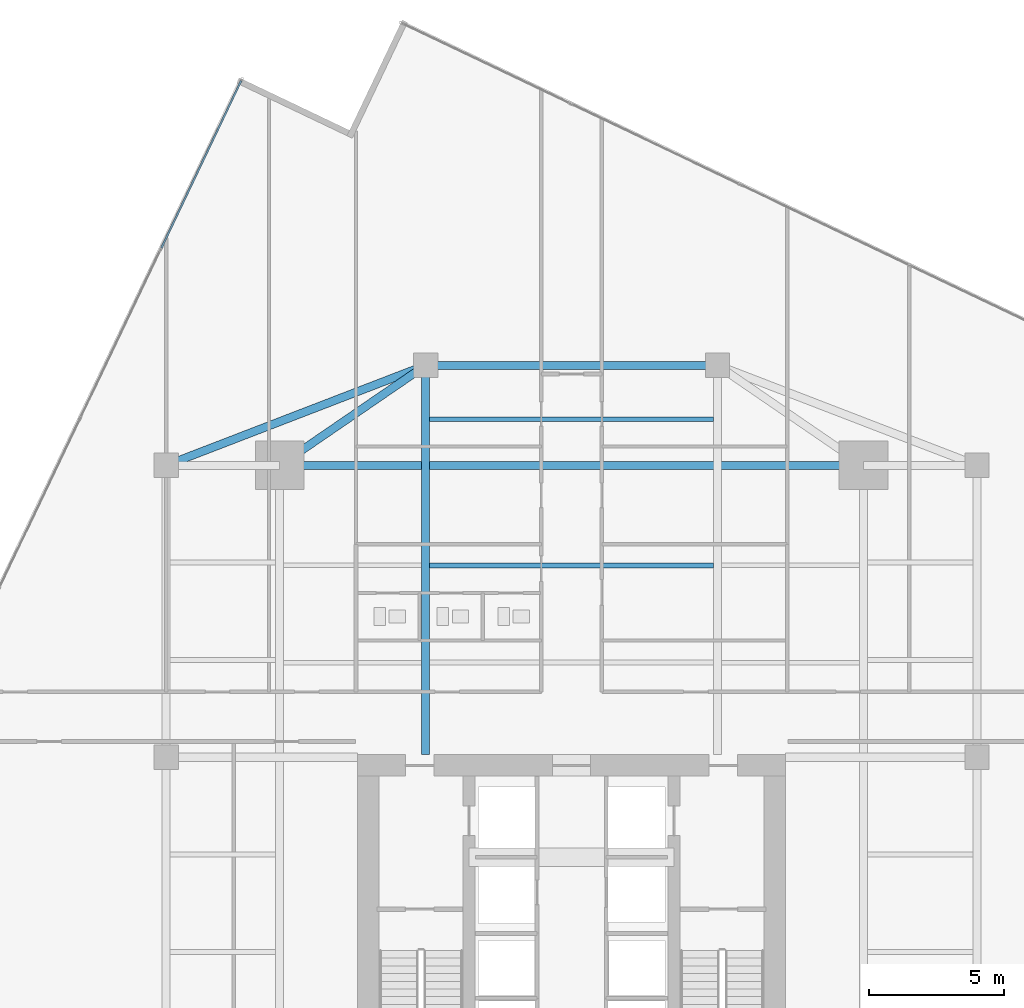
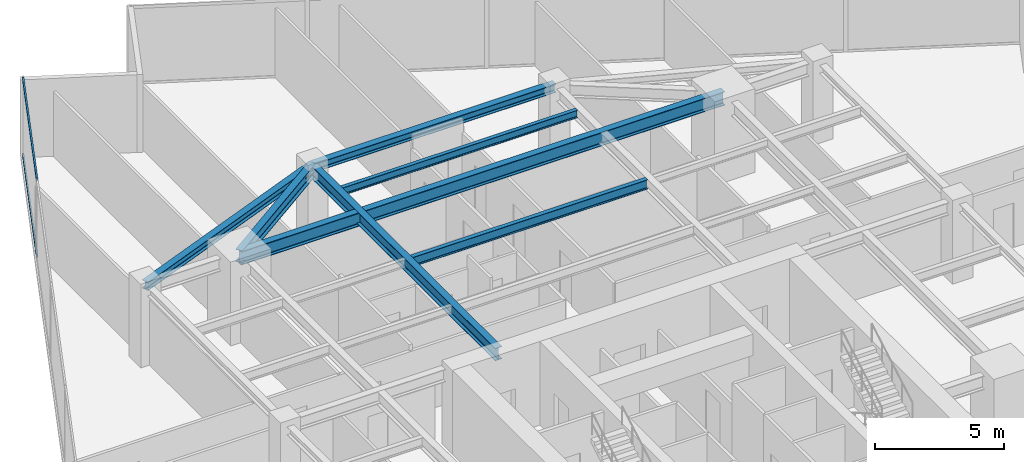
# One storey, part 15 of 25: 7 beams, 2 members, 1 element without a shape of its own.
"""IFC4 building model written with IfcOpenShell, lengths in metres."""

from ifc_helpers import new_model, si_unit, direction, frame, origin, origin_2d, place, context, subcontext, project, spatial, hollow_rectangle, i_section, extrude, source, transform, mapped, material, material_profile, profile_set, type_object, type_shapes, element, aggregate, save


model = new_model("IFC4")

# Units and contexts
model_context = context("Model", 3, precision=1e-05, world=origin(), true_north=direction((0.0, 1.0)))
body_context = subcontext(model_context, "Body", "Model", "MODEL_VIEW")
ifc_project = project(units=[si_unit("LENGTHUNIT", "METRE"), si_unit("AREAUNIT", "SQUARE_METRE"), si_unit("VOLUMEUNIT", "CUBIC_METRE"), si_unit("PLANEANGLEUNIT", "RADIAN"), si_unit("MASSUNIT", "GRAM", prefix="KILO")], contexts=[model_context])

# Site, building, storey
site_placement = place(None, origin())
site = spatial("IfcSite", under=ifc_project, at=site_placement, CompositionType="ELEMENT")
building_placement = place(site_placement, origin())
building = spatial("IfcBuilding", under=site, at=building_placement, Name="Krantzveldt Concourse Tower", CompositionType="ELEMENT")
storey_placement = place(building_placement, frame((0.0, 0.0, 146.199951171875)))
storey = spatial("IfcBuildingStorey", under=building, at=storey_placement, Name="L35", CompositionType="ELEMENT", Elevation=146.199951171875)

# Beams
ifc_material_1 = material(Name="Steel S355JR", Category="steel")
ifc_material_profile_1 = material_profile(ifc_material_1, i_section(OverallWidth=0.300048828125, OverallDepth=0.639892578125, WebThickness=0.013427734375, FlangeThickness=0.02587890625, FilletRadius=0.027099609375, at=origin_2d()), Name="Steel S355JR", Category="steel")
ifc_profile_set_1 = profile_set([ifc_material_profile_1], Name="Steel S355JR - HEA 650")
beam_type_1 = type_object("IfcBeamType", Name="BM-B-HEA650", PredefinedType="BEAM", material=ifc_profile_set_1)
shared_shape_1 = source(origin(), body_context, "Body", "SweptSolid", [
    extrude(i_section(OverallWidth=0.300048828125, OverallDepth=0.639892578125, WebThickness=0.013427734375, FlangeThickness=0.02587890625, FilletRadius=0.027099609375, at=origin_2d()), origin(), (0.0, 0.0, 1.0), 21.60009765625),
])
type_shapes(beam_type_1, [shared_shape_1])
beam_1_placement = place(storey_placement, frame((25.199951171875, 37.5, 3.35009765625), z_axis=(1.0, 0.0, 0.0), x_axis=(0.0, 1.0, 0.0)))
element("IfcBeam", 1, at=beam_1_placement, inside=storey, type_object=beam_type_1, Name="L35 Tower Girder BG-MN", PredefinedType="BEAM", context=body_context, shape_type="MappedRepresentation", body=[
    mapped(shared_shape_1, transform((0.0, 0.0, 0.0), x_axis=(1.0, 0.0, 0.0), y_axis=(0.0, 1.0, 0.0), z_axis=(0.0, 0.0, 1.0), scale=1.0)),
])
ifc_material_profile_2 = material_profile(ifc_material_1, i_section(OverallWidth=0.300048828125, OverallDepth=0.590087890625, WebThickness=0.012939453125, FlangeThickness=0.02490234375, FilletRadius=0.027099609375, at=origin_2d()), Name="Steel S355JR", Category="steel")
ifc_profile_set_2 = profile_set([ifc_material_profile_2], Name="Steel S355JR - HEA 600")
beam_type_2 = type_object("IfcBeamType", Name="BM-B-HEA600", PredefinedType="BEAM", material=ifc_profile_set_2)
shared_shape_2 = source(origin(), body_context, "Body", "SweptSolid", [
    extrude(i_section(OverallWidth=0.300048828125, OverallDepth=0.590087890625, WebThickness=0.012939453125, FlangeThickness=0.02490234375, FilletRadius=0.027099609375, at=origin_2d()), origin(), (0.0, 0.0, 1.0), 14.39990234375),
])
beam_2_placement = place(storey_placement, frame((30.60009765625, 26.800048828125, 3.375), z_axis=(0.0, 1.0, 0.0), x_axis=(-1.0, 0.0, 0.0)))
element("IfcBeam", 2, at=beam_2_placement, inside=storey, type_object=beam_type_2, Name="L35 Tower Girder BG-CNW", PredefinedType="BEAM", context=body_context, shape_type="MappedRepresentation", body=[
    mapped(shared_shape_2, transform((0.0, 0.0, 0.0), x_axis=(1.0, 0.0, 0.0), y_axis=(0.0, 1.0, 0.0), z_axis=(0.0, 0.0, 1.0), scale=1.0)),
])
shared_shape_3 = source(origin(), body_context, "Body", "SweptSolid", [
    extrude(i_section(OverallWidth=0.300048828125, OverallDepth=0.590087890625, WebThickness=0.012939453125, FlangeThickness=0.02490234375, FilletRadius=0.027099609375, at=origin_2d()), origin(), (0.0, 0.0, 1.0), 6.546142578125),
])
type_shapes(beam_type_2, [shared_shape_2, shared_shape_3])
beam_3_placement = place(storey_placement, frame((25.199951171875, 37.5, 3.375), z_axis=(0.824942999484, 0.565215930068, 0.0), x_axis=(-0.565215930068, 0.824942999484, 0.0)))
element("IfcBeam", 3, at=beam_3_placement, inside=storey, type_object=beam_type_2, Name="L35 Tower Girder BR-RL4", PredefinedType="BEAM", context=body_context, shape_type="MappedRepresentation", body=[
    mapped(shared_shape_3, transform((0.0, 0.0, 0.0), x_axis=(1.0, 0.0, 0.0), y_axis=(0.0, 1.0, 0.0), z_axis=(0.0, 0.0, 1.0), scale=1.0)),
])
ifc_material_profile_3 = material_profile(ifc_material_1, i_section(OverallWidth=0.18994140625, OverallDepth=0.449951171875, WebThickness=0.009521484375, FlangeThickness=0.0146484375, FilletRadius=0.02099609375, at=origin_2d()), Name="Steel S355JR", Category="steel")
ifc_profile_set_3 = profile_set([ifc_material_profile_3], Name="Steel S355JR - IPE 450")
beam_type_3 = type_object("IfcBeamType", Name="BM-J-IPE450", PredefinedType="JOIST", material=ifc_profile_set_3)
shared_shape_4 = source(origin(), body_context, "Body", "SweptSolid", [
    extrude(i_section(OverallWidth=0.18994140625, OverallDepth=0.449951171875, WebThickness=0.009521484375, FlangeThickness=0.0146484375, FilletRadius=0.02099609375, at=origin_2d()), origin(), (0.0, 0.0, 1.0), 10.5),
])
type_shapes(beam_type_3, [shared_shape_4])
beam_4_placement = place(storey_placement, frame((30.75, 33.800048828125, 3.445068359375), z_axis=(1.0, 0.0, 0.0), x_axis=(0.0, 1.0, 0.0)))
element("IfcBeam", 4, at=beam_4_placement, inside=storey, type_object=beam_type_3, Name="L35 Secondary Floor Joist JN-C2", PredefinedType="JOIST", context=body_context, shape_type="MappedRepresentation", body=[
    mapped(shared_shape_4, transform((0.0, 0.0, 0.0), x_axis=(1.0, 0.0, 0.0), y_axis=(0.0, 1.0, 0.0), z_axis=(0.0, 0.0, 1.0), scale=1.0)),
])
ifc_material_profile_4 = material_profile(ifc_material_1, i_section(OverallWidth=0.300048828125, OverallDepth=0.389892578125, WebThickness=0.010986328125, FlangeThickness=0.01904296875, FilletRadius=0.027099609375, at=origin_2d()), Name="Steel S355JR", Category="steel")
ifc_profile_set_4 = profile_set([ifc_material_profile_4], Name="Steel S355JR - HEA 400")
beam_type_4 = type_object("IfcBeamType", Name="BM-SP-HEA400", PredefinedType="SPANDREL", material=ifc_profile_set_4)
shared_shape_5 = source(origin(), body_context, "Body", "SweptSolid", [
    extrude(i_section(OverallWidth=0.300048828125, OverallDepth=0.389892578125, WebThickness=0.010986328125, FlangeThickness=0.01904296875, FilletRadius=0.027099609375, at=origin_2d()), origin(), (0.0, 0.0, 1.0), 10.288330078125),
])
beam_5_placement = place(storey_placement, frame((21.0, 37.5, 3.47509765625), z_axis=(0.933097690408, 0.359622997257, 0.0), x_axis=(-0.359622997257, 0.933097690408, 0.0)))
element("IfcBeam", 5, at=beam_5_placement, inside=storey, type_object=beam_type_4, Name="L35 Tower Girder SP-R03", PredefinedType="SPANDREL", context=body_context, shape_type="MappedRepresentation", body=[
    mapped(shared_shape_5, transform((0.0, 0.0, 0.0), x_axis=(1.0, 0.0, 0.0), y_axis=(0.0, 1.0, 0.0), z_axis=(0.0, 0.0, 1.0), scale=1.0)),
])
shared_shape_6 = source(origin(), body_context, "Body", "SweptSolid", [
    extrude(i_section(OverallWidth=0.300048828125, OverallDepth=0.389892578125, WebThickness=0.010986328125, FlangeThickness=0.01904296875, FilletRadius=0.027099609375, at=origin_2d()), origin(), (0.0, 0.0, 1.0), 10.7998046875),
])
type_shapes(beam_type_4, [shared_shape_5, shared_shape_6])
beam_6_placement = place(storey_placement, frame((30.60009765625, 41.199951171875, 3.47509765625), z_axis=(1.0, 0.0, 0.0), x_axis=(0.0, 1.0, 0.0)))
element("IfcBeam", 6, at=beam_6_placement, inside=storey, type_object=beam_type_4, Name="L35 Tower Girder SP-R04", PredefinedType="SPANDREL", context=body_context, shape_type="MappedRepresentation", body=[
    mapped(shared_shape_6, transform((0.0, 0.0, 0.0), x_axis=(1.0, 0.0, 0.0), y_axis=(0.0, 1.0, 0.0), z_axis=(0.0, 0.0, 1.0), scale=1.0)),
])
ifc_material_profile_5 = material_profile(ifc_material_1, i_section(OverallWidth=0.169921875, OverallDepth=0.360107421875, WebThickness=0.008056640625, FlangeThickness=0.0126953125, FilletRadius=0.01806640625, at=origin_2d()), Name="Steel S355JR", Category="steel")
ifc_profile_set_5 = profile_set([ifc_material_profile_5], Name="Steel S355JR - IPE 360")
beam_type_5 = type_object("IfcBeamType", Name="BM-J-IPE360", PredefinedType="JOIST", material=ifc_profile_set_5)
shared_shape_7 = source(origin(), body_context, "Body", "SweptSolid", [
    extrude(i_section(OverallWidth=0.169921875, OverallDepth=0.360107421875, WebThickness=0.008056640625, FlangeThickness=0.0126953125, FilletRadius=0.01806640625, at=origin_2d()), origin(), (0.0, 0.0, 1.0), 10.5),
])
type_shapes(beam_type_5, [shared_shape_7])
beam_7_placement = place(storey_placement, frame((30.75, 39.199951171875, 3.489990234375), z_axis=(1.0, 0.0, 0.0), x_axis=(0.0, 1.0, 0.0)))
element("IfcBeam", 7, at=beam_7_placement, inside=storey, type_object=beam_type_5, Name="L35 Secondary Floor Joist JN-C3", PredefinedType="JOIST", context=body_context, shape_type="MappedRepresentation", body=[
    mapped(shared_shape_7, transform((0.0, 0.0, 0.0), x_axis=(1.0, 0.0, 0.0), y_axis=(0.0, 1.0, 0.0), z_axis=(0.0, 0.0, 1.0), scale=1.0)),
])

# Curtain wall, members
ifc_material_2 = material(Name="Anodised aluminium 6063-T6", Category="aluminium")
curtain_wall_type = type_object("IfcCurtainWallType", Name="CW3", PredefinedType="USERDEFINED", material=ifc_material_2)
curtain_wall_placement = place(storey_placement, origin())
curtain_wall = element("IfcCurtainWall", 8, at=curtain_wall_placement, inside=storey, type_object=curtain_wall_type, Name="CW-L35-F01", ObjectType="UNITISED CURTAIN WALL", PredefinedType="USERDEFINED")
ifc_material_profile_6 = material_profile(ifc_material_2, hollow_rectangle(XDim=0.070068359375, YDim=0.139892578125, WallThickness=0.0048828125, at=origin_2d()), Name="Anodised aluminium 6063-T6", Category="aluminium")
ifc_profile_set_6 = profile_set([ifc_material_profile_6], Name="Anodised aluminium 6063-T6 - ALU-TRAN 140x70x5")
member_type = type_object("IfcMemberType", Name="CW-TRN-150", PredefinedType="USERDEFINED", material=ifc_profile_set_6)
shared_shape_8 = source(origin(), body_context, "Body", "SweptSolid", [
    extrude(hollow_rectangle(XDim=0.070068359375, YDim=0.139892578125, WallThickness=0.0048828125, at=origin_2d()), origin(), (0.0, 0.0, 1.0), 6.85498046875),
])
type_shapes(member_type, [shared_shape_8])
member_1_placement = place(storey_placement, frame((23.775390625, 51.731201171875, 0.03515625), z_axis=(-0.430511360105, -0.902585158764, 0.0), x_axis=(0.902585158764, -0.430511360105, 0.0)))
member_1 = element("IfcMember", 9, at=member_1_placement, type_object=member_type, Name="CW-Z34 transom 1.1", ObjectType="TRANSOM", PredefinedType="USERDEFINED", context=body_context, shape_type="MappedRepresentation", body=[
    mapped(shared_shape_8, transform((0.0, 0.0, 0.0), x_axis=(1.0, 0.0, 0.0), y_axis=(0.0, 1.0, 0.0), z_axis=(0.0, 0.0, 1.0), scale=1.0)),
])
member_2_placement = place(storey_placement, frame((23.775390625, 51.731201171875, 3.635009765625), z_axis=(-0.430511360105, -0.902585158764, 0.0), x_axis=(0.902585158764, -0.430511360105, 0.0)))
member_2 = element("IfcMember", 10, at=member_2_placement, type_object=member_type, Name="CW-Z34 transom 1.2", ObjectType="TRANSOM", PredefinedType="USERDEFINED", context=body_context, shape_type="MappedRepresentation", body=[
    mapped(shared_shape_8, transform((0.0, 0.0, 0.0), x_axis=(1.0, 0.0, 0.0), y_axis=(0.0, 1.0, 0.0), z_axis=(0.0, 0.0, 1.0), scale=1.0)),
])
aggregate(curtain_wall, [member_1, member_2])

save(model, "model.ifc")
